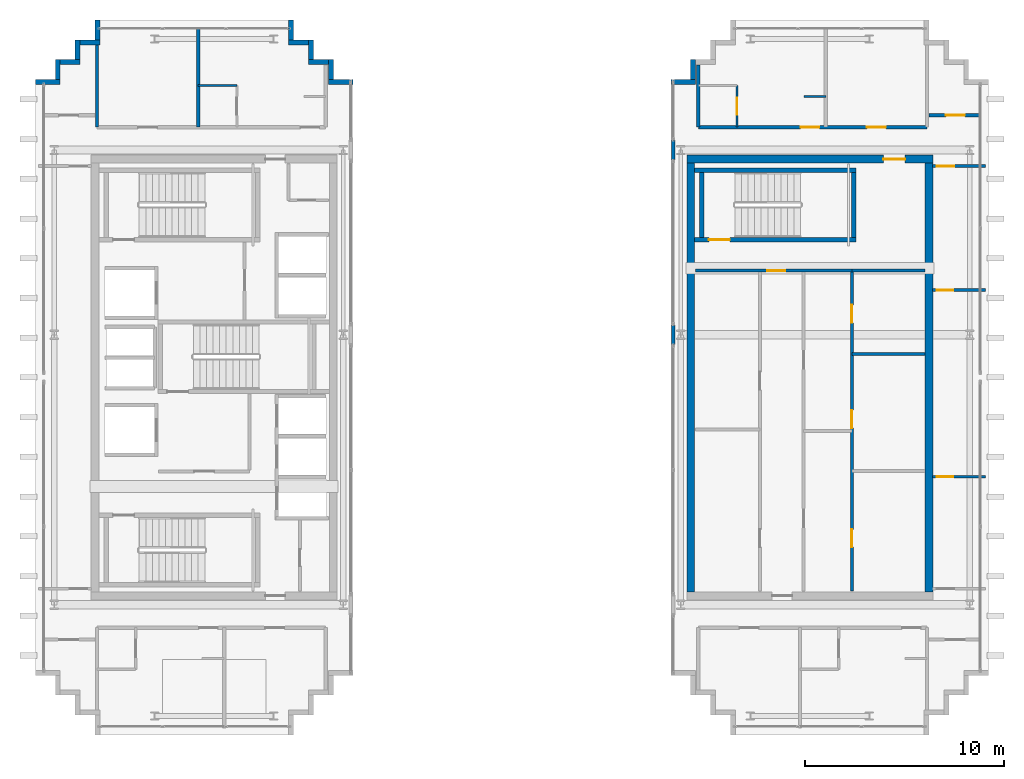
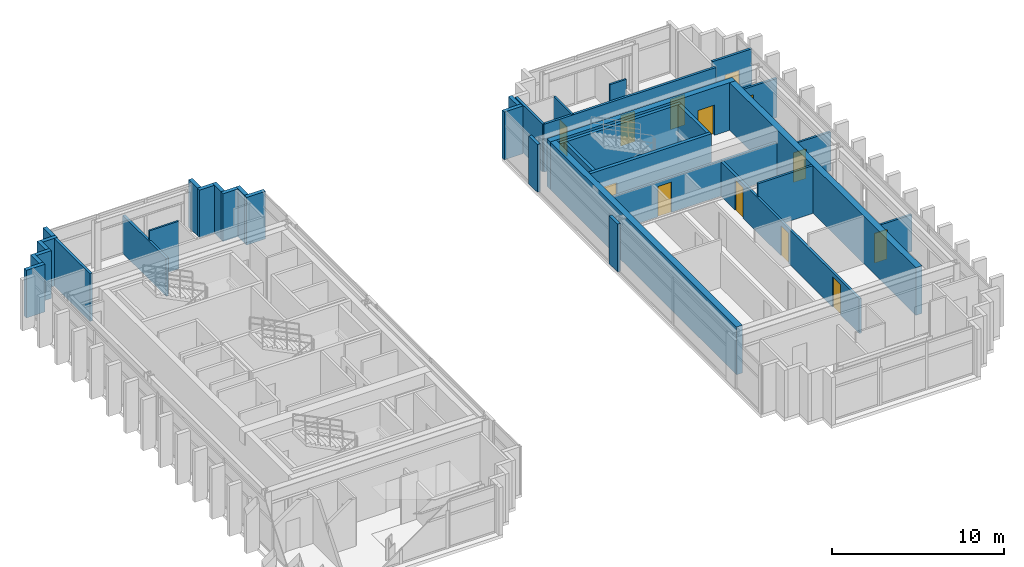
# One storey, part 22 of 25: 38 walls, 13 doors, 13 openings.
"""IFC4 building model written with IfcOpenShell, lengths in metres."""

from ifc_helpers import new_model, si_unit, direction, frame, frame_2d, origin, place, context, subcontext, project, spatial, rectangle, extrude, source, transform, mapped, material, layer, layer_set, type_object, element, fill, save


model = new_model("IFC4")

# Units and contexts
model_context = context("Model", 3, precision=1e-05, world=origin(), true_north=direction((0.0, 1.0)))
body_context = subcontext(model_context, "Body", "Model", "MODEL_VIEW")
ifc_project = project(units=[si_unit("LENGTHUNIT", "METRE"), si_unit("AREAUNIT", "SQUARE_METRE"), si_unit("VOLUMEUNIT", "CUBIC_METRE"), si_unit("PLANEANGLEUNIT", "RADIAN"), si_unit("MASSUNIT", "GRAM", prefix="KILO")], contexts=[model_context])

# Site, building, storey
site_placement = place(None, origin())
site = spatial("IfcSite", under=ifc_project, at=site_placement, CompositionType="ELEMENT")
building_placement = place(site_placement, origin())
building = spatial("IfcBuilding", under=site, at=building_placement, Name="Ocotamira Hotel", CompositionType="ELEMENT")
storey_placement = place(building_placement, frame((0.0, 0.0, 261.60009765625)))
storey = spatial("IfcBuildingStorey", under=building, at=storey_placement, Name="L66", CompositionType="ELEMENT", Elevation=261.60009765625)

# Wall, opening, door
ifc_material_1 = material(Name="Concrete C50/60", Category="concrete")
ifc_layer_1 = layer(ifc_material_1, 0.39990234375)
ifc_layer_set_1 = layer_set([ifc_layer_1], Name="Concrete C50/60")
wall_type_1 = type_object("IfcWallType", Name="WL-CORE-400", PredefinedType="SHEAR", material=ifc_layer_set_1)
wall_1_placement = place(storey_placement, frame((40.800048828125, 37.0, 0.0), z_axis=(0.0, 0.0, 1.0), x_axis=(1.0, 0.0, 0.0)))
wall_1 = element("IfcWall", 1, at=wall_1_placement, inside=storey, type_object=wall_type_1, Name="L66 Shear Core Wall ECORE-N", PredefinedType="SHEAR", context=body_context, shape_type="SweptSolid", body=[
    extrude(rectangle(XDim=12.39990234375, YDim=0.39990234375, at=frame_2d((6.199951171875, 0.0))), origin(), (0.0, 0.0, 1.0), 3.3798828125),
])
opening_1_placement = place(wall_1_placement, frame((9.89990234375, 0.0, 0.0)))
opening_1 = element("IfcOpeningElement", 2, at=opening_1_placement, cuts=wall_1, Name="Opening D-FR1", PredefinedType="OPENING", context=body_context, shape_type="SweptSolid", body=[
    extrude(rectangle(XDim=1.10009765625, YDim=2.14990234375, at=frame_2d((0.550048828125, 1.074951171875))), frame((0.0, 0.2099609375, 0.0), z_axis=(0.0, -1.0, 0.0), x_axis=(1.0, 0.0, 0.0)), (0.0, 0.0, 1.0), 0.419921875),
])
ifc_material_2 = material(Name="Fire-rated acoustic timber-veneer door", Category="wood")
door_type_1 = type_object("IfcDoorType", Name="DR-FIRE-1100", OperationType="NOTDEFINED", PredefinedType="DOOR", material=ifc_material_2)
shared_shape_1 = source(origin(), body_context, "Body", "SweptSolid", [
    extrude(rectangle(XDim=1.10009765625, YDim=2.14990234375, at=frame_2d((0.550048828125, 1.074951171875))), frame((0.0, 0.02490234375, 0.0), z_axis=(0.0, -1.0, 0.0), x_axis=(1.0, 0.0, 0.0)), (0.0, 0.0, 1.0), 0.050048828125),
])
door_1_placement = place(opening_1_placement, origin())
door_1 = element("IfcDoor", 3, at=door_1_placement, inside=storey, type_object=door_type_1, Name="L66 Door ID-L66-ELOB-N-D [ID-L66-ELOB-N-D]", OperationType="SINGLE_SWING_LEFT", OverallHeight=2.14990234375, OverallWidth=1.10009765625, PredefinedType="DOOR", context=body_context, shape_type="MappedRepresentation", body=[
    mapped(shared_shape_1, transform((0.0, 0.0, 0.0), scale=1.0)),
])
fill(opening_1, door_1)

# Walls
for number, where, z_axis, x_axis, name in (
    (4, (41.0, 15.199951171875, 0.0), (0.0, 0.0, 1.0), (0.0, 1.0, 0.0), "L66 Shear Core Wall ECORE-W"),
    (5, (53.0, 15.199951171875, 0.0), (0.0, 0.0, 1.0), (0.0, 1.0, 0.0), "L66 Shear Core Wall ECORE-E"),
):
    element("IfcWall", number, at=place(storey_placement, frame(where, z_axis=z_axis, x_axis=x_axis)), inside=storey, type_object=wall_type_1, Name=name, PredefinedType="SHEAR", context=body_context, shape_type="SweptSolid", body=[
        extrude(rectangle(XDim=21.60009765625, YDim=0.39990234375, at=frame_2d((10.800048828125, 0.0))), origin(), (0.0, 0.0, 1.0), 3.3798828125),
    ])
ifc_material_3 = material(Name="Precast concrete C45/55", Category="concrete")
ifc_layer_2 = layer(ifc_material_3, 0.25)
ifc_layer_set_2 = layer_set([ifc_layer_2], Name="Precast concrete C45/55")
wall_type_2 = type_object("IfcWallType", Name="WL-EXT-SER-250", PredefinedType="SOLIDWALL", material=ifc_layer_set_2)
wall_2_placement = place(storey_placement, frame((24.0, 40.875, 0.0), z_axis=(0.0, 0.0, 1.0), x_axis=(-1.0, 0.0, 0.0)))
element("IfcWall", 6, at=wall_2_placement, inside=storey, type_object=wall_type_2, Name="L66 -W Serrated Corner Wall 07", PredefinedType="SOLIDWALL", context=body_context, shape_type="SweptSolid", body=[
    extrude(rectangle(XDim=1.25, YDim=0.25, at=frame_2d((0.625, 0.0))), origin(), (0.0, 0.0, 1.0), 3.3798828125),
])
for number, where, z_axis, x_axis, name in (
    (7, (22.875, 41.0, 0.0), (0.0, 0.0, 1.0), (0.0, 1.0, 0.0), "L66 -W Serrated Corner Wall 08"),
    (8, (22.75, 41.875, 0.0), (0.0, 0.0, 1.0), (-1.0, 0.0, 0.0), "L66 -W Serrated Corner Wall 09"),
    (9, (21.875, 42.0, 0.0), (0.0, 0.0, 1.0), (0.0, 1.0, 0.0), "L66 -W Serrated Corner Wall 10"),
    (10, (21.75, 42.875, 0.0), (0.0, 0.0, 1.0), (-1.0, 0.0, 0.0), "L66 -W Serrated Corner Wall 11"),
    (11, (20.875, 43.0, 0.0), (0.0, 0.0, 1.0), (0.0, 1.0, 0.0), "L66 -W Serrated Corner Wall 12"),
    (12, (11.125, 44.0, 0.0), (0.0, 0.0, 1.0), (0.0, -1.0, 0.0), "L66 -W Serrated Corner Wall 13"),
    (13, (11.25, 42.875, 0.0), (0.0, 0.0, 1.0), (-1.0, 0.0, 0.0), "L66 -W Serrated Corner Wall 14"),
    (14, (10.125, 43.0, 0.0), (0.0, 0.0, 1.0), (0.0, -1.0, 0.0), "L66 -W Serrated Corner Wall 15"),
    (15, (10.25, 41.875, 0.0), (0.0, 0.0, 1.0), (-1.0, 0.0, 0.0), "L66 -W Serrated Corner Wall 16"),
    (16, (9.125, 42.0, 0.0), (0.0, 0.0, 1.0), (0.0, -1.0, 0.0), "L66 -W Serrated Corner Wall 17"),
):
    element("IfcWall", number, at=place(storey_placement, frame(where, z_axis=z_axis, x_axis=x_axis)), inside=storey, type_object=wall_type_2, Name=name, PredefinedType="SOLIDWALL", context=body_context, shape_type="SweptSolid", body=[
        extrude(rectangle(XDim=1.0, YDim=0.25, at=frame_2d((0.5, 0.0))), origin(), (0.0, 0.0, 1.0), 3.3798828125),
    ])
wall_3_placement = place(storey_placement, frame((9.25, 40.875, 0.0), z_axis=(0.0, 0.0, 1.0), x_axis=(-1.0, 0.0, 0.0)))
element("IfcWall", 17, at=wall_3_placement, inside=storey, type_object=wall_type_2, Name="L66 -W Serrated Corner Wall 18", PredefinedType="SOLIDWALL", context=body_context, shape_type="SweptSolid", body=[
    extrude(rectangle(XDim=1.25, YDim=0.25, at=frame_2d((0.625, 0.0))), origin(), (0.0, 0.0, 1.0), 3.3798828125),
])
wall_4_placement = place(storey_placement, frame((41.125, 42.0, 0.0), z_axis=(0.0, 0.0, 1.0), x_axis=(0.0, -1.0, 0.0)))
element("IfcWall", 18, at=wall_4_placement, inside=storey, type_object=wall_type_2, Name="L66 -E Serrated Corner Wall 17", PredefinedType="SOLIDWALL", context=body_context, shape_type="SweptSolid", body=[
    extrude(rectangle(XDim=1.0, YDim=0.25, at=frame_2d((0.5, 0.0))), origin(), (0.0, 0.0, 1.0), 3.3798828125),
])
wall_5_placement = place(storey_placement, frame((41.25, 40.875, 0.0), z_axis=(0.0, 0.0, 1.0), x_axis=(-1.0, 0.0, 0.0)))
element("IfcWall", 19, at=wall_5_placement, inside=storey, type_object=wall_type_2, Name="L66 -E Serrated Corner Wall 18", PredefinedType="SOLIDWALL", context=body_context, shape_type="SweptSolid", body=[
    extrude(rectangle(XDim=1.25, YDim=0.25, at=frame_2d((0.625, 0.0))), origin(), (0.0, 0.0, 1.0), 3.3798828125),
])
ifc_material_4 = material(Name="Acoustic double-layer fire gypsum board partition", Category="gypsum")
ifc_layer_3 = layer(ifc_material_4, 0.159912109375)
ifc_layer_set_3 = layer_set([ifc_layer_3], Name="Acoustic double-layer fire gypsum board partition")
wall_type_3 = type_object("IfcWallType", Name="WL-FIRE-160", PredefinedType="PARTITIONING", material=ifc_layer_set_3)
wall_6_placement = place(storey_placement, frame((49.1201171875, 31.3798828125, 0.0), z_axis=(0.0, 0.0, 1.0), x_axis=(1.0, 0.0, 0.0)))
element("IfcWall", 20, at=wall_6_placement, inside=storey, type_object=wall_type_3, Name="L66 Interior Wall PW-L66-EC-FLOW-N", PredefinedType="PARTITIONING", context=body_context, shape_type="SweptSolid", body=[
    extrude(rectangle(XDim=3.679931640625, YDim=0.159912109375, at=frame_2d((1.83984375, 0.0))), origin(), (0.0, 0.0, 1.0), 2.47998046875),
])

# Wall, openings, doors
wall_7_placement = place(storey_placement, frame((49.1201171875, 15.25, 0.0), z_axis=(0.0, 0.0, 1.0), x_axis=(0.0, 1.0, 0.0)))
wall_7 = element("IfcWall", 21, at=wall_7_placement, inside=storey, type_object=wall_type_3, Name="L66 Interior Wall PW-L66-EC-FLOW-W", PredefinedType="PARTITIONING", context=body_context, shape_type="SweptSolid", body=[
    extrude(rectangle(XDim=16.1298828125, YDim=0.159912109375, at=frame_2d((8.06494140625, 0.0))), origin(), (0.0, 0.0, 1.0), 2.452880859375),
])
opening_2_placement = place(wall_7_placement, frame((2.199951171875, 0.0, 0.0)))
opening_2 = element("IfcOpeningElement", 22, at=opening_2_placement, cuts=wall_7, Name="Opening D-IN3", PredefinedType="OPENING", context=body_context, shape_type="SweptSolid", body=[
    extrude(rectangle(XDim=0.89990234375, YDim=2.14990234375, at=frame_2d((0.449951171875, 1.074951171875))), frame((0.0, 0.08984375, 0.0), z_axis=(0.0, -1.0, 0.0), x_axis=(1.0, 0.0, 0.0)), (0.0, 0.0, 1.0), 0.179931640625),
])
opening_3_placement = place(wall_7_placement, frame((8.199951171875, 0.0, 0.0)))
opening_3 = element("IfcOpeningElement", 23, at=opening_3_placement, cuts=wall_7, Name="Opening D-IN3", PredefinedType="OPENING", context=body_context, shape_type="SweptSolid", body=[
    extrude(rectangle(XDim=0.89990234375, YDim=2.14990234375, at=frame_2d((0.449951171875, 1.074951171875))), frame((0.0, 0.08984375, 0.0), z_axis=(0.0, -1.0, 0.0), x_axis=(1.0, 0.0, 0.0)), (0.0, 0.0, 1.0), 0.179931640625),
])
opening_4_placement = place(wall_7_placement, frame((13.5, 0.0, 0.0)))
opening_4 = element("IfcOpeningElement", 24, at=opening_4_placement, cuts=wall_7, Name="Opening D-IN3", PredefinedType="OPENING", context=body_context, shape_type="SweptSolid", body=[
    extrude(rectangle(XDim=0.89990234375, YDim=2.14990234375, at=frame_2d((0.449951171875, 1.074951171875))), frame((0.0, 0.08984375, 0.0), z_axis=(0.0, -1.0, 0.0), x_axis=(1.0, 0.0, 0.0)), (0.0, 0.0, 1.0), 0.179931640625),
])
ifc_material_5 = material(Name="Painted service room door", Category="steel")
door_type_2 = type_object("IfcDoorType", Name="DR-INT-900", OperationType="NOTDEFINED", PredefinedType="DOOR", material=ifc_material_5)
shared_shape_2 = source(origin(), body_context, "Body", "SweptSolid", [
    extrude(rectangle(XDim=0.89990234375, YDim=2.14990234375, at=frame_2d((0.449951171875, 1.074951171875))), frame((0.0, 0.02490234375, 0.0), z_axis=(0.0, -1.0, 0.0), x_axis=(1.0, 0.0, 0.0)), (0.0, 0.0, 1.0), 0.050048828125),
])
door_2_placement = place(opening_2_placement, origin())
door_2 = element("IfcDoor", 25, at=door_2_placement, inside=storey, type_object=door_type_2, Name="L66 Door ID-L66-EC-FLOW-D1 [ID-L66-EC-FLOW-D1]", OperationType="SINGLE_SWING_LEFT", OverallHeight=2.14990234375, OverallWidth=0.89990234375, PredefinedType="DOOR", context=body_context, shape_type="MappedRepresentation", body=[
    mapped(shared_shape_2, transform((0.0, 0.0, 0.0), scale=1.0)),
])
fill(opening_2, door_2)
door_3_placement = place(opening_3_placement, origin())
door_3 = element("IfcDoor", 26, at=door_3_placement, inside=storey, type_object=door_type_2, Name="L66 Door ID-L66-EC-FLOW-D2 [ID-L66-EC-FLOW-D2]", OperationType="SINGLE_SWING_RIGHT", OverallHeight=2.14990234375, OverallWidth=0.89990234375, PredefinedType="DOOR", context=body_context, shape_type="MappedRepresentation", body=[
    mapped(shared_shape_2, transform((0.0, 0.0, 0.0), scale=1.0)),
])
fill(opening_3, door_3)
door_4_placement = place(opening_4_placement, origin())
door_4 = element("IfcDoor", 27, at=door_4_placement, inside=storey, type_object=door_type_2, Name="L66 Door ID-L66-EC-FLOW-D3 [ID-L66-EC-FLOW-D3]", OperationType="SINGLE_SWING_LEFT", OverallHeight=2.14990234375, OverallWidth=0.89990234375, PredefinedType="DOOR", context=body_context, shape_type="MappedRepresentation", body=[
    mapped(shared_shape_2, transform((0.0, 0.0, 0.0), scale=1.0)),
])
fill(opening_4, door_4)

wall_8_placement = place(storey_placement, frame((41.3798828125, 38.60009765625, 0.0), z_axis=(0.0, 0.0, 1.0), x_axis=(1.0, 0.0, 0.0)))
wall_8 = element("IfcWall", 28, at=wall_8_placement, inside=storey, type_object=wall_type_3, Name="L66 Interior Wall PW-L66-SPE1N-CORRW", PredefinedType="PARTITIONING", context=body_context, shape_type="SweptSolid", body=[
    extrude(rectangle(XDim=11.52001953125, YDim=0.159912109375, at=frame_2d((5.760009765625, 0.0))), origin(), (0.0, 0.0, 1.0), 3.3798828125),
])
opening_5_placement = place(wall_8_placement, frame((5.159912109375, 0.0, 0.0)))
opening_5 = element("IfcOpeningElement", 29, at=opening_5_placement, cuts=wall_8, Name="Opening D-GR1", PredefinedType="OPENING", context=body_context, shape_type="SweptSolid", body=[
    extrude(rectangle(XDim=0.93994140625, YDim=2.14990234375, at=frame_2d((0.469970703125, 1.074951171875))), frame((0.0, 0.08984375, 0.0), z_axis=(0.0, -1.0, 0.0), x_axis=(1.0, 0.0, 0.0)), (0.0, 0.0, 1.0), 0.179931640625),
])
opening_6_placement = place(wall_8_placement, frame((8.489990234375, 0.0, 0.0)))
opening_6 = element("IfcOpeningElement", 30, at=opening_6_placement, cuts=wall_8, Name="Opening D-SV4", PredefinedType="OPENING", context=body_context, shape_type="SweptSolid", body=[
    extrude(rectangle(XDim=0.9599609375, YDim=2.14990234375, at=frame_2d((0.47998046875, 1.074951171875))), frame((0.0, 0.08984375, 0.0), z_axis=(0.0, -1.0, 0.0), x_axis=(1.0, 0.0, 0.0)), (0.0, 0.0, 1.0), 0.179931640625),
])
ifc_material_6 = material(Name="Fire-rated accessible walnut salon door", Category="wood")
door_type_3 = type_object("IfcDoorType", Name="DR-SERV-960", OperationType="NOTDEFINED", PredefinedType="DOOR", material=ifc_material_6)
shared_shape_3 = source(origin(), body_context, "Body", "SweptSolid", [
    extrude(rectangle(XDim=0.9599609375, YDim=2.14990234375, at=frame_2d((0.47998046875, 1.074951171875))), frame((0.0, 0.02490234375, 0.0), z_axis=(0.0, -1.0, 0.0), x_axis=(1.0, 0.0, 0.0)), (0.0, 0.0, 1.0), 0.050048828125),
])
door_5_placement = place(opening_6_placement, origin())
door_5 = element("IfcDoor", 31, at=door_5_placement, inside=storey, type_object=door_type_3, Name="L66 Door ID-L66-SPE1N-AMD2 [ID-L66-SPE1N-AMD2]", OperationType="SINGLE_SWING_RIGHT", OverallHeight=2.14990234375, OverallWidth=0.9599609375, PredefinedType="DOOR", context=body_context, shape_type="MappedRepresentation", body=[
    mapped(shared_shape_3, transform((0.0, 0.0, 0.0), scale=1.0)),
])
fill(opening_6, door_5)
ifc_material_7 = material(Name="Solid-core walnut suite entrance fire door", Category="wood")
door_type_4 = type_object("IfcDoorType", Name="DR-GUEST-940", OperationType="NOTDEFINED", PredefinedType="DOOR", material=ifc_material_7)
shared_shape_4 = source(origin(), body_context, "Body", "SweptSolid", [
    extrude(rectangle(XDim=0.93994140625, YDim=2.14990234375, at=frame_2d((0.469970703125, 1.074951171875))), frame((0.0, 0.02490234375, 0.0), z_axis=(0.0, -1.0, 0.0), x_axis=(1.0, 0.0, 0.0)), (0.0, 0.0, 1.0), 0.050048828125),
])
door_6_placement = place(opening_5_placement, origin())
door_6 = element("IfcDoor", 32, at=door_6_placement, inside=storey, type_object=door_type_4, Name="L66 Door ID-L66-SPE1N-RMD1 [ID-L66-SPE1N-RMD1]", OperationType="SINGLE_SWING_LEFT", OverallHeight=2.14990234375, OverallWidth=0.93994140625, PredefinedType="DOOR", context=body_context, shape_type="MappedRepresentation", body=[
    mapped(shared_shape_4, transform((0.0, 0.0, 0.0), scale=1.0)),
])
fill(opening_5, door_6)

# Wall, opening, door
wall_9_placement = place(storey_placement, frame((53.0, 39.199951171875, 0.0), z_axis=(0.0, 0.0, 1.0), x_axis=(1.0, 0.0, 0.0)))
wall_9 = element("IfcWall", 33, at=wall_9_placement, inside=storey, type_object=wall_type_3, Name="L66 Interior Wall PW-L66-SPCNE1-CW", PredefinedType="PARTITIONING", context=body_context, shape_type="SweptSolid", body=[
    extrude(rectangle(XDim=2.64990234375, YDim=0.159912109375, at=frame_2d((1.324951171875, 0.0))), origin(), (0.0, 0.0, 1.0), 3.3798828125),
])
opening_7_placement = place(wall_9_placement, frame((0.844970703125, 0.0, 0.0)))
opening_7 = element("IfcOpeningElement", 34, at=opening_7_placement, cuts=wall_9, Name="Opening D-SV4", PredefinedType="OPENING", context=body_context, shape_type="SweptSolid", body=[
    extrude(rectangle(XDim=0.9599609375, YDim=2.14990234375, at=frame_2d((0.47998046875, 1.074951171875))), frame((0.0, 0.08984375, 0.0), z_axis=(0.0, -1.0, 0.0), x_axis=(1.0, 0.0, 0.0)), (0.0, 0.0, 1.0), 0.179931640625),
])
door_7_placement = place(opening_7_placement, origin())
door_7 = element("IfcDoor", 35, at=door_7_placement, inside=storey, type_object=door_type_3, Name="L66 Door ID-L66-SPCNE1-CD [ID-L66-SPCNE1-CD]", OperationType="SINGLE_SWING_LEFT", OverallHeight=2.14990234375, OverallWidth=0.9599609375, PredefinedType="DOOR", context=body_context, shape_type="MappedRepresentation", body=[
    mapped(shared_shape_3, transform((0.0, 0.0, 0.0), scale=1.0)),
])
fill(opening_7, door_7)

# Walls
ifc_layer_4 = layer(ifc_material_3, 0.219970703125)
ifc_layer_set_4 = layer_set([ifc_layer_4], Name="Precast concrete C45/55")
wall_type_4 = type_object("IfcWallType", Name="WL-PARA-220", PredefinedType="PARAPET", material=ifc_layer_set_4)
for number, where, z_axis, x_axis, name in (
    (36, (40.1201171875, 27.64990234375, 0.0), (0.0, 0.0, 1.0), (0.0, 1.0, 0.0), "L66 Split-Wing Column Spandrel Closure E2"),
    (37, (40.1201171875, 36.949951171875, 0.0), (0.0, 0.0, 1.0), (0.0, 1.0, 0.0), "L66 Split-Wing Column Spandrel Closure E3"),
):
    element("IfcWall", number, at=place(storey_placement, frame(where, z_axis=z_axis, x_axis=x_axis)), inside=storey, type_object=wall_type_4, Name=name, PredefinedType="PARAPET", context=body_context, shape_type="SweptSolid", body=[
        extrude(rectangle(XDim=1.0, YDim=0.199951171875, at=frame_2d((0.5, 0.0))), origin(), (0.0, 0.0, 1.0), 3.3798828125),
    ])
ifc_material_8 = material(Name="Moisture-resistant en-suite tile and gypsum partition", Category="gypsum")
ifc_layer_5 = layer(ifc_material_8, 0.1201171875)
ifc_layer_set_5 = layer_set([ifc_layer_5], Name="Moisture-resistant en-suite tile and gypsum partition")
wall_type_5 = type_object("IfcWallType", Name="WL-PART-120", PredefinedType="PARTITIONING", material=ifc_layer_set_5)
wall_10_placement = place(storey_placement, frame((16.199951171875, 40.699951171875, 0.0), z_axis=(0.0, 0.0, 1.0), x_axis=(1.0, 0.0, 0.0)))
element("IfcWall", 38, at=wall_10_placement, inside=storey, type_object=wall_type_5, Name="L66 Interior Wall PW-L66-SPW1N-BAN2", PredefinedType="PARTITIONING", context=body_context, shape_type="SweptSolid", body=[
    extrude(rectangle(XDim=1.949951171875, YDim=0.1201171875, at=frame_2d((0.97509765625, 0.0))), origin(), (0.0, 0.0, 1.0), 3.3798828125),
])

# Wall, opening, door
wall_11_placement = place(storey_placement, frame((43.330078125, 38.60009765625, 0.0), z_axis=(0.0, 0.0, 1.0), x_axis=(0.0, 1.0, 0.0)))
wall_11 = element("IfcWall", 39, at=wall_11_placement, inside=storey, type_object=wall_type_5, Name="L66 Interior Wall PW-L66-SPE1N-BAE1", PredefinedType="PARTITIONING", context=body_context, shape_type="SweptSolid", body=[
    extrude(rectangle(XDim=2.099853515625, YDim=0.1201171875, at=frame_2d((1.0498046875, 0.0))), origin(), (0.0, 0.0, 1.0), 3.3798828125),
])
opening_8_placement = place(wall_11_placement, frame((0.6201171875, 0.0, 0.0)))
opening_8 = element("IfcOpeningElement", 40, at=opening_8_placement, cuts=wall_11, Name="Opening D-BA1", PredefinedType="OPENING", context=body_context, shape_type="SweptSolid", body=[
    extrude(rectangle(XDim=0.860107421875, YDim=2.10009765625, at=frame_2d((0.43017578125, 1.050048828125))), frame((0.0, 0.070068359375, 0.0), z_axis=(0.0, -1.0, 0.0), x_axis=(1.0, 0.0, 0.0)), (0.0, 0.0, 1.0), 0.14013671875),
])
ifc_material_9 = material(Name="Moisture-sealed en-suite timber door", Category="wood")
door_type_5 = type_object("IfcDoorType", Name="DR-BATH-860", OperationType="NOTDEFINED", PredefinedType="DOOR", material=ifc_material_9)
shared_shape_5 = source(origin(), body_context, "Body", "SweptSolid", [
    extrude(rectangle(XDim=0.860107421875, YDim=2.10009765625, at=frame_2d((0.43017578125, 1.050048828125))), frame((0.0, 0.02490234375, 0.0), z_axis=(0.0, -1.0, 0.0), x_axis=(1.0, 0.0, 0.0)), (0.0, 0.0, 1.0), 0.050048828125),
])
door_8_placement = place(opening_8_placement, origin())
door_8 = element("IfcDoor", 41, at=door_8_placement, inside=storey, type_object=door_type_5, Name="L66 Door ID-L66-SPE1N-BAD1 [ID-L66-SPE1N-BAD1]", OperationType="SINGLE_SWING_RIGHT", OverallHeight=2.10009765625, OverallWidth=0.860107421875, PredefinedType="DOOR", context=body_context, shape_type="MappedRepresentation", body=[
    mapped(shared_shape_5, transform((0.0, 0.0, 0.0), scale=1.0)),
])
fill(opening_8, door_8)

# Wall
wall_12_placement = place(storey_placement, frame((46.699951171875, 40.14990234375, 0.0), z_axis=(0.0, 0.0, 1.0), x_axis=(1.0, 0.0, 0.0)))
element("IfcWall", 42, at=wall_12_placement, inside=storey, type_object=wall_type_5, Name="L66 Interior Wall PW-L66-SPE1N-DRN1", PredefinedType="PARTITIONING", context=body_context, shape_type="SweptSolid", body=[
    extrude(rectangle(XDim=1.10009765625, YDim=0.1201171875, at=frame_2d((0.550048828125, 0.0))), origin(), (0.0, 0.0, 1.0), 3.3798828125),
])

# Wall, opening, door
ifc_material_10 = material(Name="Acoustic hospitality gypsum board partition", Category="gypsum")
ifc_layer_6 = layer(ifc_material_10, 0.14208984375)
ifc_layer_set_6 = layer_set([ifc_layer_6], Name="Acoustic hospitality gypsum board partition")
wall_type_6 = type_object("IfcWallType", Name="WL-PART-142", PredefinedType="PARTITIONING", material=ifc_layer_set_6)
wall_13_placement = place(storey_placement, frame((53.179931640625, 21.0, 0.0), z_axis=(0.0, 0.0, 1.0), x_axis=(1.0, 0.0, 0.0)))
wall_13 = element("IfcWall", 43, at=wall_13_placement, inside=storey, type_object=wall_type_6, Name="L66 Interior Wall PW-L66-SP1E-DV1", PredefinedType="PARTITIONING", context=body_context, shape_type="SweptSolid", body=[
    extrude(rectangle(XDim=2.66015625, YDim=0.14208984375, at=frame_2d((1.330078125, 0.0))), origin(), (0.0, 0.0, 1.0), 2.600830078125),
])
opening_9_placement = place(wall_13_placement, frame((0.199951171875, 0.0, 0.0)))
opening_9 = element("IfcOpeningElement", 44, at=opening_9_placement, cuts=wall_13, Name="Opening D-SV1", PredefinedType="OPENING", context=body_context, shape_type="SweptSolid", body=[
    extrude(rectangle(XDim=0.840087890625, YDim=2.10009765625, at=frame_2d((0.419921875, 1.050048828125))), frame((0.0, 0.0810546875, 0.0), z_axis=(0.0, -1.0, 0.0), x_axis=(1.0, 0.0, 0.0)), (0.0, 0.0, 1.0), 0.162109375),
])
ifc_material_11 = material(Name="Fire-rated painted steel service door", Category="steel")
door_type_6 = type_object("IfcDoorType", Name="DR-SERV-840", OperationType="NOTDEFINED", PredefinedType="DOOR", material=ifc_material_11)
shared_shape_6 = source(origin(), body_context, "Body", "SweptSolid", [
    extrude(rectangle(XDim=0.840087890625, YDim=2.10009765625, at=frame_2d((0.419921875, 1.050048828125))), frame((0.0, 0.02490234375, 0.0), z_axis=(0.0, -1.0, 0.0), x_axis=(1.0, 0.0, 0.0)), (0.0, 0.0, 1.0), 0.050048828125),
])
door_9_placement = place(opening_9_placement, origin())
door_9 = element("IfcDoor", 45, at=door_9_placement, inside=storey, type_object=door_type_6, Name="L66 Door ID-L66-SP1E-DV1D [ID-L66-SP1E-DV1D]", OperationType="SINGLE_SWING_LEFT", OverallHeight=2.10009765625, OverallWidth=0.840087890625, PredefinedType="DOOR", context=body_context, shape_type="MappedRepresentation", body=[
    mapped(shared_shape_6, transform((0.0, 0.0, 0.0), scale=1.0)),
])
fill(opening_9, door_9)

wall_14_placement = place(storey_placement, frame((53.179931640625, 30.39990234375, 0.0), z_axis=(0.0, 0.0, 1.0), x_axis=(1.0, 0.0, 0.0)))
wall_14 = element("IfcWall", 46, at=wall_14_placement, inside=storey, type_object=wall_type_6, Name="L66 Interior Wall PW-L66-SP1E-DV2", PredefinedType="PARTITIONING", context=body_context, shape_type="SweptSolid", body=[
    extrude(rectangle(XDim=2.66015625, YDim=0.14208984375, at=frame_2d((1.330078125, 0.0))), origin(), (0.0, 0.0, 1.0), 2.762939453125),
])
opening_10_placement = place(wall_14_placement, frame((0.199951171875, 0.0, 0.0)))
opening_10 = element("IfcOpeningElement", 47, at=opening_10_placement, cuts=wall_14, Name="Opening D-SV1", PredefinedType="OPENING", context=body_context, shape_type="SweptSolid", body=[
    extrude(rectangle(XDim=0.840087890625, YDim=2.10009765625, at=frame_2d((0.419921875, 1.050048828125))), frame((0.0, 0.0810546875, 0.0), z_axis=(0.0, -1.0, 0.0), x_axis=(1.0, 0.0, 0.0)), (0.0, 0.0, 1.0), 0.162109375),
])
door_10_placement = place(opening_10_placement, origin())
door_10 = element("IfcDoor", 48, at=door_10_placement, inside=storey, type_object=door_type_6, Name="L66 Door ID-L66-SP1E-DV2D [ID-L66-SP1E-DV2D]", OperationType="SINGLE_SWING_RIGHT", OverallHeight=2.10009765625, OverallWidth=0.840087890625, PredefinedType="DOOR", context=body_context, shape_type="MappedRepresentation", body=[
    mapped(shared_shape_6, transform((0.0, 0.0, 0.0), scale=1.0)),
])
fill(opening_10, door_10)

ifc_layer_7 = layer(ifc_material_10, 0.14990234375)
ifc_layer_set_7 = layer_set([ifc_layer_7], Name="Acoustic hospitality gypsum board partition")
wall_type_7 = type_object("IfcWallType", Name="WL-PART-150", PredefinedType="PARTITIONING", material=ifc_layer_set_7)
wall_15_placement = place(storey_placement, frame((41.25, 31.3798828125, 0.0), z_axis=(0.0, 0.0, 1.0), x_axis=(1.0, 0.0, 0.0)))
wall_15 = element("IfcWall", 49, at=wall_15_placement, inside=storey, type_object=wall_type_7, Name="L66 Interior Wall PW-L66-EC-HMT-N", PredefinedType="PARTITIONING", context=body_context, shape_type="SweptSolid", body=[
    extrude(rectangle(XDim=7.8701171875, YDim=0.14990234375, at=frame_2d((3.93505859375, 0.0))), origin(), (0.0, 0.0, 1.0), 2.47998046875),
])
opening_11_placement = place(wall_15_placement, frame((3.60009765625, 0.0, 0.0)))
opening_11 = element("IfcOpeningElement", 50, at=opening_11_placement, cuts=wall_15, Name="Opening D-IN3", PredefinedType="OPENING", context=body_context, shape_type="SweptSolid", body=[
    extrude(rectangle(XDim=0.89990234375, YDim=2.14990234375, at=frame_2d((0.449951171875, 1.074951171875))), frame((0.0, 0.0849609375, 0.0), z_axis=(0.0, -1.0, 0.0), x_axis=(1.0, 0.0, 0.0)), (0.0, 0.0, 1.0), 0.169921875),
])
door_11_placement = place(opening_11_placement, origin())
door_11 = element("IfcDoor", 51, at=door_11_placement, inside=storey, type_object=door_type_2, Name="L66 Door ID-L66-EC-MGALD [ID-L66-EC-MGALD]", OperationType="SINGLE_SWING_LEFT", OverallHeight=2.14990234375, OverallWidth=0.89990234375, PredefinedType="DOOR", context=body_context, shape_type="MappedRepresentation", body=[
    mapped(shared_shape_2, transform((0.0, 0.0, 0.0), scale=1.0)),
])
fill(opening_11, door_11)

# Wall
wall_16_placement = place(storey_placement, frame((49.1201171875, 27.18994140625, 0.0), z_axis=(0.0, 0.0, 1.0), x_axis=(1.0, 0.0, 0.0)))
element("IfcWall", 52, at=wall_16_placement, inside=storey, type_object=wall_type_7, Name="L66 Interior Wall PW-L66-EC-FDIV2", PredefinedType="PARTITIONING", context=body_context, shape_type="SweptSolid", body=[
    extrude(rectangle(XDim=3.679931640625, YDim=0.14990234375, at=frame_2d((1.83984375, 0.0))), origin(), (0.0, 0.0, 1.0), 3.3798828125),
])

# Wall, opening, door
wall_17_placement = place(storey_placement, frame((53.179931640625, 36.639892578125, 0.0), z_axis=(0.0, 0.0, 1.0), x_axis=(1.0, 0.0, 0.0)))
wall_17 = element("IfcWall", 53, at=wall_17_placement, inside=storey, type_object=wall_type_7, Name="L66 Interior Wall PW-L66-SP1E-WN", PredefinedType="PARTITIONING", context=body_context, shape_type="SweptSolid", body=[
    extrude(rectangle(XDim=2.66015625, YDim=0.14990234375, at=frame_2d((1.330078125, 0.0))), origin(), (0.0, 0.0, 1.0), 2.762939453125),
])
opening_12_placement = place(wall_17_placement, frame((0.199951171875, 0.0, 0.0)))
opening_12 = element("IfcOpeningElement", 54, at=opening_12_placement, cuts=wall_17, Name="Opening D-SV2", PredefinedType="OPENING", context=body_context, shape_type="SweptSolid", body=[
    extrude(rectangle(XDim=0.8798828125, YDim=2.14990234375, at=frame_2d((0.43994140625, 1.074951171875))), frame((0.0, 0.0849609375, 0.0), z_axis=(0.0, -1.0, 0.0), x_axis=(1.0, 0.0, 0.0)), (0.0, 0.0, 1.0), 0.169921875),
])
door_type_7 = type_object("IfcDoorType", Name="DR-SERV-880", OperationType="NOTDEFINED", PredefinedType="DOOR", material=ifc_material_11)
shared_shape_7 = source(origin(), body_context, "Body", "SweptSolid", [
    extrude(rectangle(XDim=0.8798828125, YDim=2.14990234375, at=frame_2d((0.43994140625, 1.074951171875))), frame((0.0, 0.02490234375, 0.0), z_axis=(0.0, -1.0, 0.0), x_axis=(1.0, 0.0, 0.0)), (0.0, 0.0, 1.0), 0.050048828125),
])
door_12_placement = place(opening_12_placement, origin())
door_12 = element("IfcDoor", 55, at=door_12_placement, inside=storey, type_object=door_type_7, Name="L66 Door ID-L66-SP1E-DN [ID-L66-SP1E-DN]", OperationType="SINGLE_SWING_LEFT", OverallHeight=2.14990234375, OverallWidth=0.8798828125, PredefinedType="DOOR", context=body_context, shape_type="MappedRepresentation", body=[
    mapped(shared_shape_7, transform((0.0, 0.0, 0.0), scale=1.0)),
])
fill(opening_12, door_12)

# Walls
ifc_material_12 = material(Name="Acoustic double-stud hospitality gypsum partition", Category="gypsum")
ifc_layer_8 = layer(ifc_material_12, 0.159912109375)
ifc_layer_set_8 = layer_set([ifc_layer_8], Name="Acoustic double-stud hospitality gypsum partition")
wall_type_8 = type_object("IfcWallType", Name="WL-PART-160", PredefinedType="PARTITIONING", material=ifc_layer_set_8)
wall_18_placement = place(storey_placement, frame((11.10009765625, 38.60009765625, 0.0), z_axis=(0.0, 0.0, 1.0), x_axis=(0.0, 1.0, 0.0)))
element("IfcWall", 56, at=wall_18_placement, inside=storey, type_object=wall_type_8, Name="L66 Interior Wall PW-L66-SPW1N-PW0", PredefinedType="PARTITIONING", context=body_context, shape_type="SweptSolid", body=[
    extrude(rectangle(XDim=4.139892578125, YDim=0.159912109375, at=frame_2d((2.06982421875, 0.0))), origin(), (0.0, 0.0, 1.0), 3.3798828125),
])
wall_19_placement = place(storey_placement, frame((16.199951171875, 38.60009765625, 0.0), z_axis=(0.0, 0.0, 1.0), x_axis=(0.0, 1.0, 0.0)))
element("IfcWall", 57, at=wall_19_placement, inside=storey, type_object=wall_type_8, Name="L66 Interior Wall PW-L66-SPW1N-PW1", PredefinedType="PARTITIONING", context=body_context, shape_type="SweptSolid", body=[
    extrude(rectangle(XDim=5.039794921875, YDim=0.159912109375, at=frame_2d((2.52001953125, 0.0))), origin(), (0.0, 0.0, 1.0), 2.68701171875),
])
wall_20_placement = place(storey_placement, frame((41.3798828125, 38.60009765625, 0.0), z_axis=(0.0, 0.0, 1.0), x_axis=(0.0, 1.0, 0.0)))
element("IfcWall", 58, at=wall_20_placement, inside=storey, type_object=wall_type_8, Name="L66 Interior Wall PW-L66-SPE1N-PW0", PredefinedType="PARTITIONING", context=body_context, shape_type="SweptSolid", body=[
    extrude(rectangle(XDim=3.139892578125, YDim=0.159912109375, at=frame_2d((1.56982421875, 0.0))), origin(), (0.0, 0.0, 1.0), 3.3798828125),
])

# Wall, opening, door
ifc_layer_9 = layer(ifc_material_1, 0.219970703125)
ifc_layer_set_9 = layer_set([ifc_layer_9], Name="Concrete C50/60")
wall_type_9 = type_object("IfcWallType", Name="WL-STAIR-220", PredefinedType="SHEAR", material=ifc_layer_set_9)
wall_21_placement = place(storey_placement, frame((41.199951171875, 32.93994140625, 0.0), z_axis=(0.0, 0.0, 1.0), x_axis=(1.0, 0.0, 0.0)))
wall_21 = element("IfcWall", 59, at=wall_21_placement, inside=storey, type_object=wall_type_9, Name="L66 Stair Shaft Structural Wall ST-4-S", PredefinedType="SHEAR", context=body_context, shape_type="SweptSolid", body=[
    extrude(rectangle(XDim=8.110107421875, YDim=0.219970703125, at=frame_2d((4.05517578125, 0.0))), origin(), (0.0, 0.0, 1.0), 3.39990234375),
])
opening_13_placement = place(wall_21_placement, frame((0.719970703125, 0.0, 0.0)))
opening_13 = element("IfcOpeningElement", 60, at=opening_13_placement, cuts=wall_21, Name="Opening D-ST2", PredefinedType="OPENING", context=body_context, shape_type="SweptSolid", body=[
    extrude(rectangle(XDim=1.050048828125, YDim=2.14990234375, at=frame_2d((0.52490234375, 1.074951171875))), frame((0.0, 0.1201171875, 0.0), z_axis=(0.0, -1.0, 0.0), x_axis=(1.0, 0.0, 0.0)), (0.0, 0.0, 1.0), 0.239990234375),
])
ifc_material_13 = material(Name="Insulated painted hollow-metal fire exit door", Category="steel")
door_type_8 = type_object("IfcDoorType", Name="DR-STAIR-1050", OperationType="NOTDEFINED", PredefinedType="DOOR", material=ifc_material_13)
shared_shape_8 = source(origin(), body_context, "Body", "SweptSolid", [
    extrude(rectangle(XDim=1.050048828125, YDim=2.14990234375, at=frame_2d((0.52490234375, 1.074951171875))), frame((0.0, 0.02490234375, 0.0), z_axis=(0.0, -1.0, 0.0), x_axis=(1.0, 0.0, 0.0)), (0.0, 0.0, 1.0), 0.050048828125),
])
door_13_placement = place(opening_13_placement, origin())
door_13 = element("IfcDoor", 61, at=door_13_placement, inside=storey, type_object=door_type_8, Name="L66 Door ID-L66-STD-ST-4 [ID-L66-STD-ST-4]", OperationType="SINGLE_SWING_RIGHT", OverallHeight=2.14990234375, OverallWidth=1.050048828125, PredefinedType="DOOR", context=body_context, shape_type="MappedRepresentation", body=[
    mapped(shared_shape_8, transform((0.0, 0.0, 0.0), scale=1.0)),
])
fill(opening_13, door_13)

# Walls
wall_22_placement = place(storey_placement, frame((41.199951171875, 36.43994140625, 0.0), z_axis=(0.0, 0.0, 1.0), x_axis=(1.0, 0.0, 0.0)))
element("IfcWall", 62, at=wall_22_placement, inside=storey, type_object=wall_type_9, Name="L66 Stair Shaft Structural Wall ST-4-N", PredefinedType="SHEAR", context=body_context, shape_type="SweptSolid", body=[
    extrude(rectangle(XDim=8.110107421875, YDim=0.219970703125, at=frame_2d((4.05517578125, 0.0))), origin(), (0.0, 0.0, 1.0), 3.39990234375),
])
for number, where, z_axis, x_axis, name in (
    (63, (41.56005859375, 33.050048828125, 0.0), (0.0, 0.0, 1.0), (0.0, 1.0, 0.0), "L66 Stair Shaft Structural Wall ST-4-W"),
    (64, (49.199951171875, 33.050048828125, 0.0), (0.0, 0.0, 1.0), (0.0, 1.0, 0.0), "L66 Stair Shaft Structural Wall ST-4-E"),
):
    element("IfcWall", number, at=place(storey_placement, frame(where, z_axis=z_axis, x_axis=x_axis)), inside=storey, type_object=wall_type_9, Name=name, PredefinedType="SHEAR", context=body_context, shape_type="SweptSolid", body=[
        extrude(rectangle(XDim=3.280029296875, YDim=0.219970703125, at=frame_2d((1.64013671875, 0.0))), origin(), (0.0, 0.0, 1.0), 3.39990234375),
    ])

save(model, "model.ifc")
